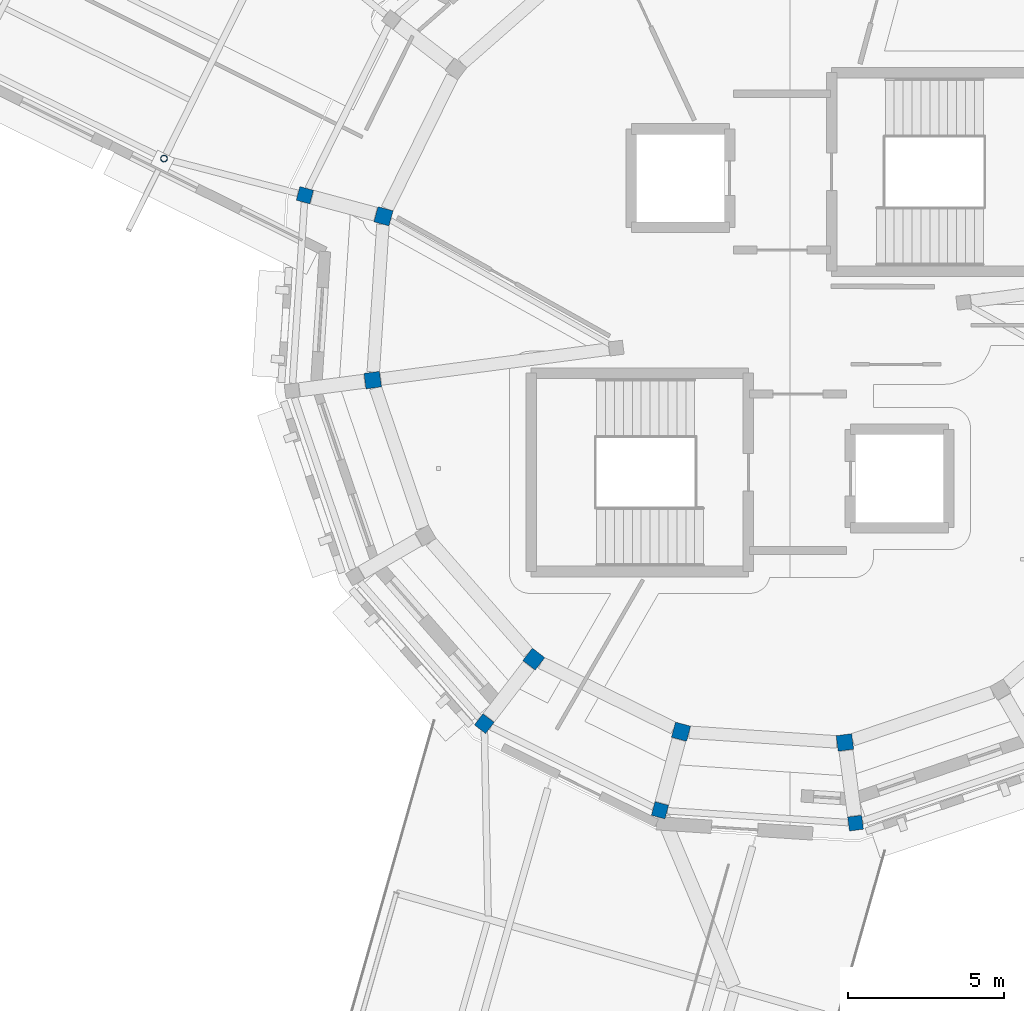
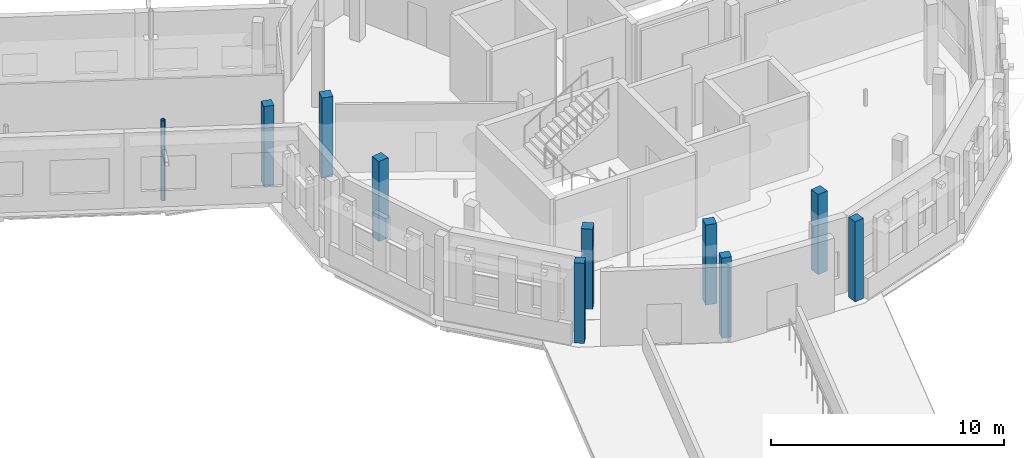
# One storey, part 15 of 68: 10 columns.
"""IFC4 building model written with IfcOpenShell, lengths in metres."""

import ifcopenshell
import ifcopenshell.guid

model = None  # the IFC model being written
_history = None  # IfcOwnerHistory: only IFC2X3 demands one
_inside = {}  # id of a spatial element -> (the spatial element, [elements in it])
_under = {}  # id of a project, library or spatial element -> (it, [spatial elements below it])
_declared = {}  # id of a project -> (the project, [libraries it declares])
_typed = {}  # id of a type object -> (the type object, [elements of that type])
_made_of = {}  # id of a material, layer set ... -> (it, [elements and type objects made of it])


def new_model(schema):
    """Start an empty IFC model of exactly this schema.

    Asked for "IFC4X3", IfcOpenShell would pick the latest addendum, in which some entities
    have other attributes; the version numbers below select the first issue.
    IFC2X3 requires an IfcOwnerHistory on every rooted entity: one is made here for all.
    """
    global model, _history
    if schema == "IFC4X3":
        model = ifcopenshell.file(schema_version=(4, 3, 0, 0))
    else:
        model = ifcopenshell.file(schema=schema)
    _inside.clear()
    _under.clear()
    _declared.clear()
    _typed.clear()
    _made_of.clear()
    _history = None
    if model.schema == "IFC2X3":
        org = make("IfcOrganization", Name="unknown")
        user = make(
            "IfcPersonAndOrganization",
            ThePerson=make("IfcPerson", FamilyName="unknown"),
            TheOrganization=org,
        )
        app = make(
            "IfcApplication",
            ApplicationDeveloper=org,
            Version="unknown",
            ApplicationFullName="unknown",
            ApplicationIdentifier="unknown",
        )
        _history = make(
            "IfcOwnerHistory",
            OwningUser=user,
            OwningApplication=app,
            ChangeAction="ADDED",
            CreationDate=0,
        )
    return model


def make(cls, **values):
    """One entity of the class cls with the attributes given. An attribute that is None is left unset."""
    return model.create_entity(
        cls, **{name: value for name, value in values.items() if value is not None}
    )


def rooted(cls, **values):
    """An entity with a GlobalId (a new one), such as an element, a storey or a relation."""
    return make(cls, GlobalId=ifcopenshell.guid.new(), OwnerHistory=_history, **values)


def si_unit(unit_type, name, prefix=None):
    """IfcSIUnit, for example si_unit("LENGTHUNIT", "METRE", prefix="MILLI")."""
    return make("IfcSIUnit", UnitType=unit_type, Prefix=prefix, Name=name)


def assignment(units):
    """IfcUnitAssignment: the units of a project."""
    return None if units is None else make("IfcUnitAssignment", Units=units)


def point(xyz):
    """IfcCartesianPoint."""
    return None if xyz is None else make("IfcCartesianPoint", Coordinates=xyz)


def direction(xyz):
    """IfcDirection."""
    return None if xyz is None else make("IfcDirection", DirectionRatios=xyz)


def frame(location, z_axis=None, x_axis=None):
    """IfcAxis2Placement3D, a coordinate frame: its origin and axes. An axis left out is left unset."""
    return make(
        "IfcAxis2Placement3D",
        Location=point(location),
        Axis=direction(z_axis),
        RefDirection=direction(x_axis),
    )


def frame_2d(location, x_axis=None):
    """IfcAxis2Placement2D, a coordinate frame in the plane: its origin and x axis."""
    return make(
        "IfcAxis2Placement2D", Location=point(location), RefDirection=direction(x_axis)
    )


def origin():
    """The frame at (0, 0, 0) with its axes left unset."""
    return frame((0.0, 0.0, 0.0))


def origin_2d():
    """The frame at (0, 0) in the plane with its x axis left unset."""
    return frame_2d((0.0, 0.0))


def place(relative_to, where):
    """IfcLocalPlacement: puts the frame where relative to a parent placement (None: the world)."""
    return make(
        "IfcLocalPlacement", PlacementRelTo=relative_to, RelativePlacement=where
    )


def context(
    kind, dimensions, precision=None, world=None, true_north=None, identifier=None
):
    """IfcGeometricRepresentationContext, for example the 3D "Model" context."""
    return make(
        "IfcGeometricRepresentationContext",
        ContextIdentifier=identifier,
        ContextType=kind,
        CoordinateSpaceDimension=dimensions,
        Precision=precision,
        WorldCoordinateSystem=world,
        TrueNorth=true_north,
    )


def subcontext(parent, identifier, kind, view, scale=None):
    """IfcGeometricRepresentationSubContext, for example "Body" below "Model"."""
    return make(
        "IfcGeometricRepresentationSubContext",
        ContextIdentifier=identifier,
        ContextType=kind,
        ParentContext=parent,
        TargetScale=scale,
        TargetView=view,
    )


def project(units=None, contexts=None):
    """IfcProject with its units and contexts."""
    return rooted(
        "IfcProject",
        Name="project",
        RepresentationContexts=contexts,
        UnitsInContext=assignment(units),
    )


def spatial(cls, under=None, at=None, **own):
    """A site, building, storey or space (cls), placed at a placement, below another one or the project."""
    s = rooted(cls, ObjectPlacement=at, **own)
    if under is not None:
        _under.setdefault(under.id(), (under, []))[1].append(s)
    return s


def profile(cls, at=None, kind="AREA", **sizes):
    """A parametric profile (cls). Its sizes go by their IFC names, for example OverallWidth=200.0."""
    return make(cls, ProfileType=kind, Position=at, **sizes)


def rectangle(**sizes):
    """IfcRectangleProfileDef."""
    return profile("IfcRectangleProfileDef", **sizes)


def hollow_circle(**sizes):
    """IfcCircleHollowProfileDef."""
    return profile("IfcCircleHollowProfileDef", **sizes)


def extrude(swept, where, along, depth):
    """IfcExtrudedAreaSolid: the profile swept, set in the frame where, extruded along a direction by depth."""
    return make(
        "IfcExtrudedAreaSolid",
        SweptArea=swept,
        Position=where,
        ExtrudedDirection=direction(along),
        Depth=depth,
    )


def shape(context_of_items, identifier, shape_type, items):
    """IfcShapeRepresentation: the items that make up one representation, for example the "Body"."""
    return make(
        "IfcShapeRepresentation",
        ContextOfItems=context_of_items,
        RepresentationIdentifier=identifier,
        RepresentationType=shape_type,
        Items=items,
    )


def material(Name=None, Category=None):
    """IfcMaterial."""
    return make("IfcMaterial", Name=Name, Category=Category)


def material_profile(
    of_material, cross_section, Name=None, Category=None, Priority=None
):
    """IfcMaterialProfile: a cross section and its material."""
    return make(
        "IfcMaterialProfile",
        Name=Name,
        Material=of_material,
        Profile=cross_section,
        Priority=Priority,
        Category=Category,
    )


def profile_set(profiles, Name=None, composite=None):
    """IfcMaterialProfileSet."""
    return make(
        "IfcMaterialProfileSet",
        Name=Name,
        MaterialProfiles=profiles,
        CompositeProfile=composite,
    )


def made_of(thing, what):
    """Note that an element or type object is made of a material, layer set ...; save() writes the relation."""
    if what is not None:
        _made_of.setdefault(what.id(), (what, []))[1].append(thing)
    return thing


def type_object(cls, material=None, **own):
    """A type object (cls), such as IfcWallType, which elements share."""
    return made_of(rooted(cls, **own), material)


def element(
    cls,
    number,
    at=None,
    inside=None,
    cuts=None,
    type_object=None,
    material=None,
    context=None,
    identifier="Body",
    shape_type=None,
    held_by="IfcProductDefinitionShape",
    body=None,
    shapes=None,
    **own,
):
    """One element of the class cls, such as IfcWall. Its Tag is "e" and its number.

    at: its placement. inside: the storey or other place that contains it. cuts: it is an
    opening in that element (IfcRelVoidsElement). A single representation is given by context,
    identifier, shape_type and body (its items); several are given by shapes. held_by: the class
    of the entity that holds the representations. save() writes the other relations.
    """
    e = rooted(cls, Tag="e%d" % number, ObjectPlacement=at, **own)
    if body is not None:
        shapes = [shape(context, identifier, shape_type, body)]
    if shapes is not None:
        e.Representation = make(held_by, Representations=shapes)
    if inside is not None:
        _inside.setdefault(inside.id(), (inside, []))[1].append(e)
    if cuts is not None:
        rooted(
            "IfcRelVoidsElement", RelatingBuildingElement=cuts, RelatedOpeningElement=e
        )
    if type_object is not None:
        _typed.setdefault(type_object.id(), (type_object, []))[1].append(e)
    return made_of(e, material)


def aggregate(whole, parts):
    """IfcRelAggregates: a whole, such as a stair, and the parts it consists of."""
    return rooted("IfcRelAggregates", RelatingObject=whole, RelatedObjects=parts)


def save(model, path):
    """Write the relations noted so far, then the file.

    IfcRelAggregates (storeys below a building ...), IfcRelContainedInSpatialStructure (elements
    in a storey), IfcRelDefinesByType, IfcRelAssociatesMaterial and IfcRelDeclares: one each for
    every whole, place, type object, material and project.
    """
    for whole, parts in _under.values():
        aggregate(whole, parts)
    for where, things in _inside.values():
        rooted(
            "IfcRelContainedInSpatialStructure",
            RelatedElements=things,
            RelatingStructure=where,
        )
    for kind, things in _typed.values():
        rooted("IfcRelDefinesByType", RelatedObjects=things, RelatingType=kind)
    for what, things in _made_of.values():
        rooted("IfcRelAssociatesMaterial", RelatedObjects=things, RelatingMaterial=what)
    for by, libraries in _declared.values():
        rooted("IfcRelDeclares", RelatingContext=by, RelatedDefinitions=libraries)
    model.write(path)


model = new_model("IFC4")

# Units and contexts
model_context = context("Model", 3, precision=1e-05, world=origin(), true_north=direction((0.0, 1.0)))
body_context = subcontext(model_context, "Body", "Model", "MODEL_VIEW")
ifc_project = project(units=[si_unit("LENGTHUNIT", "METRE"), si_unit("AREAUNIT", "SQUARE_METRE"), si_unit("VOLUMEUNIT", "CUBIC_METRE"), si_unit("PLANEANGLEUNIT", "RADIAN"), si_unit("MASSUNIT", "GRAM", prefix="KILO")], contexts=[model_context])

# Site, building, storey
site_placement = place(None, origin())
site = spatial("IfcSite", under=ifc_project, at=site_placement, CompositionType="ELEMENT")
building_placement = place(site_placement, origin())
building = spatial("IfcBuilding", under=site, at=building_placement, Name="Wrenclough Park School", CompositionType="ELEMENT")
storey_placement = place(building_placement, frame((0.0, 0.0, 12.60009765625)))
storey = spatial("IfcBuildingStorey", under=building, at=storey_placement, Name="L03", CompositionType="ELEMENT", Elevation=12.60009765625)

# Columns
ifc_material_1 = material(Name="Structural steel S355", Category="steel")
ifc_material_profile_1 = material_profile(ifc_material_1, hollow_circle(Radius=0.109619140625, WallThickness=0.012451171875, at=origin_2d()), Name="CHS 219.1x12.5")
ifc_profile_set_1 = profile_set([ifc_material_profile_1], Name="Structural steel S355")
column_type_1 = type_object("IfcColumnType", Name="STR-COL-CHS219", PredefinedType="COLUMN", material=ifc_profile_set_1)
column_placement = place(storey_placement, frame((154.494140625, 98.8251953125, 0.0), z_axis=(0.0, 0.0, 1.0), x_axis=(0.896254315973, -0.443540529265, 0.0)))
element("IfcColumn", 1, at=column_placement, inside=storey, type_object=column_type_1, Name="W45 L03 column W45-C2-R05", PredefinedType="COLUMN", context=body_context, shape_type="SweptSolid", body=[
    extrude(hollow_circle(Radius=0.109619140625, WallThickness=0.012451171875, at=origin_2d()), origin(), (0.0, 0.0, 1.0), 4.199951171875),
])
ifc_material_2 = material(Name="Concrete C40/50", Category="concrete")
ifc_material_profile_2 = material_profile(ifc_material_2, rectangle(XDim=0.449951171875, YDim=0.449951171875, at=origin_2d()), Name="RC COL 450x450")
ifc_profile_set_2 = profile_set([ifc_material_profile_2], Name="Concrete C40/50")
column_type_2 = type_object("IfcColumnType", Name="STR-COL-RC450", PredefinedType="COLUMN", material=ifc_profile_set_2)
for number, where, z_axis, x_axis, name in (
    (2, (158.996826171875, 97.654052734375, 0.0), (0.0, 0.0, 1.0), (-0.258819045103, -0.965925826289, 0.0), "D5 L03 column D5-OUT-08"),
    (3, (164.7294921875, 80.7666015625, 0.0), (0.0, 0.0, 1.0), (0.793353340291, -0.608761429009, 0.0), "D5 L03 column D5-OUT-11"),
    (4, (170.345947265625, 77.996826171875, 0.0), (0.0, 0.0, 1.0), (0.965925826289, -0.258819045103, 0.0), "D5 L03 column D5-OUT-12"),
    (5, (176.594970703125, 77.58740234375, 0.0), (0.0, 0.0, 1.0), (0.991444861374, 0.13052619222, 0.0), "D5 L03 column D5-OUT-13"),
):
    element("IfcColumn", number, at=place(storey_placement, frame(where, z_axis=z_axis, x_axis=x_axis)), inside=storey, type_object=column_type_2, Name=name, PredefinedType="COLUMN", context=body_context, shape_type="SweptSolid", body=[
        extrude(rectangle(XDim=0.449951171875, YDim=0.449951171875, at=origin_2d()), origin(), (0.0, 0.0, 1.0), 4.199951171875),
    ])
ifc_material_profile_3 = material_profile(ifc_material_2, rectangle(XDim=0.5, YDim=0.5, at=origin_2d()), Name="RC COL 500x500")
ifc_profile_set_3 = profile_set([ifc_material_profile_3], Name="Concrete C40/50")
column_type_3 = type_object("IfcColumnType", Name="STR-COL-RC500", PredefinedType="COLUMN", material=ifc_profile_set_3)
for number, where, z_axis, x_axis, name in (
    (6, (161.50830078125, 96.981201171875, 0.0), (0.0, 0.0, 1.0), (-0.258819045103, -0.965925826289, 0.0), "D5 L03 column D5-MID-08"),
    (7, (161.1650390625, 91.744384765625, 0.0), (0.0, 0.0, 1.0), (0.13052619222, -0.991444861374, 0.0), "D5 L03 column D5-MID-09"),
    (8, (166.312255859375, 82.829345703125, 0.0), (0.0, 0.0, 1.0), (0.793353340291, -0.608761429009, 0.0), "D5 L03 column D5-MID-11"),
    (9, (171.018798828125, 80.50830078125, 0.0), (0.0, 0.0, 1.0), (0.965925826289, -0.258819045103, 0.0), "D5 L03 column D5-MID-12"),
    (10, (176.255615234375, 80.1650390625, 0.0), (0.0, 0.0, 1.0), (0.991444861374, 0.13052619222, 0.0), "D5 L03 column D5-MID-13"),
):
    element("IfcColumn", number, at=place(storey_placement, frame(where, z_axis=z_axis, x_axis=x_axis)), inside=storey, type_object=column_type_3, Name=name, PredefinedType="COLUMN", context=body_context, shape_type="SweptSolid", body=[
        extrude(rectangle(XDim=0.5, YDim=0.5, at=origin_2d()), origin(), (0.0, 0.0, 1.0), 4.199951171875),
    ])

save(model, "model.ifc")
